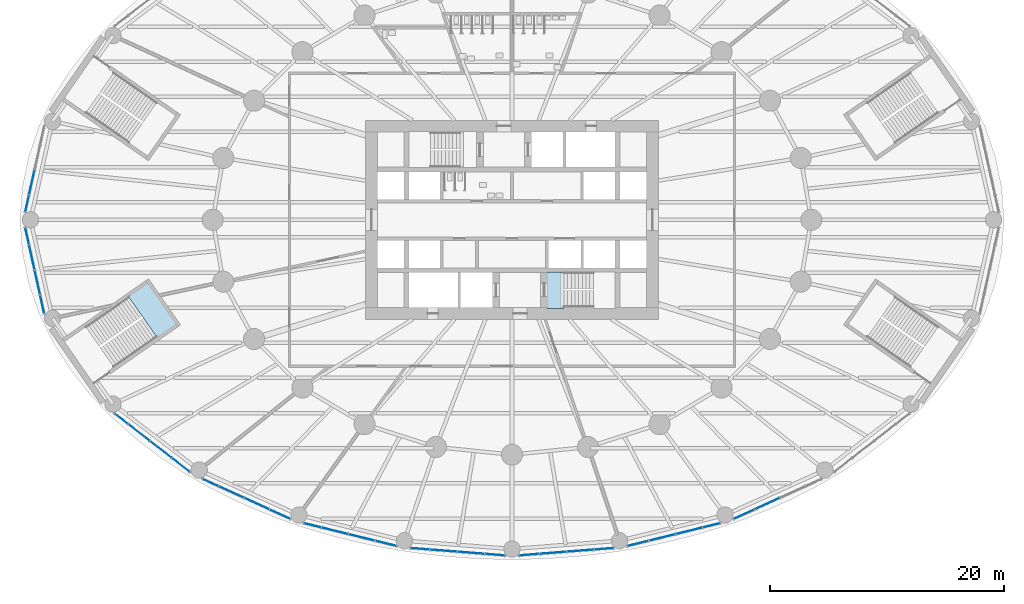
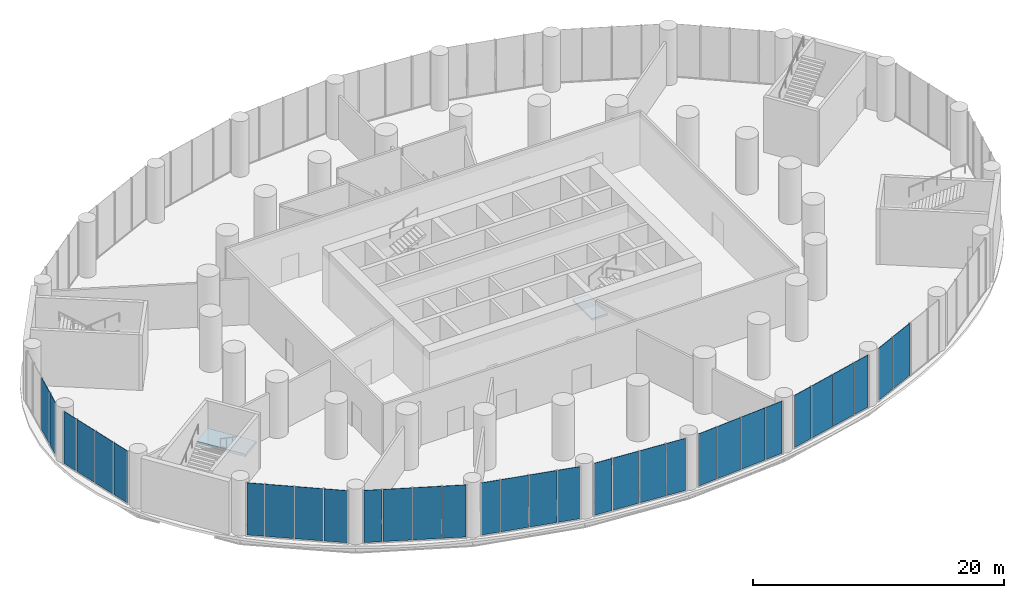
# One storey, part 13 of 21: 32 plates, 2 slabs, 11 elements without a shape of their own.
"""IFC4 building model written with IfcOpenShell, lengths in metres."""

from ifc_helpers import new_model, si_unit, direction, frame, origin, origin_2d, place, context, subcontext, project, spatial, polyline, rectangle, outline, extrude, material, layer, layer_set, type_object, element, aggregate, save


model = new_model("IFC4")

# Units and contexts
model_context = context("Model", 3, precision=1e-05, world=origin(), true_north=direction((0.0, 1.0)))
body_context = subcontext(model_context, "Body", "Model", "MODEL_VIEW")
ifc_project = project(units=[si_unit("LENGTHUNIT", "METRE"), si_unit("AREAUNIT", "SQUARE_METRE"), si_unit("VOLUMEUNIT", "CUBIC_METRE"), si_unit("PLANEANGLEUNIT", "RADIAN"), si_unit("MASSUNIT", "GRAM", prefix="KILO")], contexts=[model_context])

# Site, building, storey
site_placement = place(None, origin())
site = spatial("IfcSite", under=ifc_project, at=site_placement, CompositionType="ELEMENT")
building_placement = place(site_placement, origin())
building = spatial("IfcBuilding", under=site, at=building_placement, Name="Hankou Lantern Tower", CompositionType="ELEMENT")
storey_placement = place(building_placement, frame((0.0, 0.0, 13.800048828125)))
storey = spatial("IfcBuildingStorey", under=building, at=storey_placement, Name="L02", CompositionType="ELEMENT", Elevation=13.800048828125)

# Curtain wall, plates
ifc_material_1 = material(Name="Glass, dark grey tinted laminated", Category="glass")
curtain_wall_type = type_object("IfcCurtainWallType", Name="CWP PODIUM CURTAIN WALL", PredefinedType="USERDEFINED", material=ifc_material_1)
curtain_wall_1_placement = place(storey_placement, origin())
curtain_wall_1 = element("IfcCurtainWall", 1, at=curtain_wall_1_placement, inside=storey, type_object=curtain_wall_type, Name="CWP L02 PC09", ObjectType="PODIUM GLAZING", PredefinedType="USERDEFINED")
ifc_material_2 = material(Name="Glass, dark grey tinted laminated", Category="glass")
ifc_layer_1 = layer(ifc_material_2, 0.037109375)
ifc_layer_set_1 = layer_set([ifc_layer_1], Name="Glass, dark grey tinted laminated")
plate_type = type_object("IfcPlateType", Name="PN2 PODIUM GLASS PANEL", PredefinedType="CURTAIN_PANEL", material=ifc_layer_set_1)
plate_1_placement = place(storey_placement, frame((-40.99267578125, 3.200439453125, 0.080078125), z_axis=(0.0, 0.0, 1.0), x_axis=(-0.215821488116, -0.976432837049, 0.0)))
plate_1 = element("IfcPlate", 2, at=plate_1_placement, type_object=plate_type, Name="CWP glass panel 3", PredefinedType="CURTAIN_PANEL", context=body_context, shape_type="SweptSolid", body=[
    extrude(rectangle(XDim=2.105224609375, YDim=0.031982421875, at=origin_2d()), origin(), (0.0, 0.0, 1.0), 5.070068359375),
])
plate_2_placement = place(storey_placement, frame((-41.391357421875, 1.396484375, 0.080078125), z_axis=(0.0, 0.0, 1.0), x_axis=(-0.215821488116, -0.976432837049, 0.0)))
plate_2 = element("IfcPlate", 3, at=plate_2_placement, type_object=plate_type, Name="CWP glass panel 4", PredefinedType="CURTAIN_PANEL", context=body_context, shape_type="SweptSolid", body=[
    extrude(rectangle(XDim=1.4296875, YDim=0.031982421875, at=origin_2d()), origin(), (0.0, 0.0, 1.0), 5.070068359375),
])
aggregate(curtain_wall_1, [plate_1, plate_2])

curtain_wall_2_placement = place(storey_placement, origin())
curtain_wall_2 = element("IfcCurtainWall", 4, at=curtain_wall_2_placement, inside=storey, type_object=curtain_wall_type, Name="CWP L02 PC10", ObjectType="PODIUM GLAZING", PredefinedType="USERDEFINED")
plate_3_placement = place(storey_placement, frame((-41.391357421875, -1.396484375, 0.080078125), z_axis=(0.0, 0.0, 1.0), x_axis=(0.215821488116, -0.976432837049, 0.0)))
plate_3 = element("IfcPlate", 5, at=plate_3_placement, type_object=plate_type, Name="CWP glass panel 1", PredefinedType="CURTAIN_PANEL", context=body_context, shape_type="SweptSolid", body=[
    extrude(rectangle(XDim=1.4296875, YDim=0.031982421875, at=origin_2d()), origin(), (0.0, 0.0, 1.0), 5.070068359375),
])
plate_4_placement = place(storey_placement, frame((-40.99267578125, -3.200439453125, 0.080078125), z_axis=(0.0, 0.0, 1.0), x_axis=(0.215821488116, -0.976432837049, 0.0)))
plate_4 = element("IfcPlate", 6, at=plate_4_placement, type_object=plate_type, Name="CWP glass panel 2", PredefinedType="CURTAIN_PANEL", context=body_context, shape_type="SweptSolid", body=[
    extrude(rectangle(XDim=2.105224609375, YDim=0.031982421875, at=origin_2d()), origin(), (0.0, 0.0, 1.0), 5.070068359375),
])
plate_5_placement = place(storey_placement, frame((-40.52099609375, -5.333984375, 0.080078125), z_axis=(0.0, 0.0, 1.0), x_axis=(0.215821488116, -0.976432837049, 0.0)))
plate_5 = element("IfcPlate", 7, at=plate_5_placement, type_object=plate_type, Name="CWP glass panel 3", PredefinedType="CURTAIN_PANEL", context=body_context, shape_type="SweptSolid", body=[
    extrude(rectangle(XDim=2.105224609375, YDim=0.031982421875, at=origin_2d()), origin(), (0.0, 0.0, 1.0), 5.070068359375),
])
plate_6_placement = place(storey_placement, frame((-40.105224609375, -7.214599609375, 0.080078125), z_axis=(0.0, 0.0, 1.0), x_axis=(0.215821488116, -0.976432837049, 0.0)))
plate_6 = element("IfcPlate", 8, at=plate_6_placement, type_object=plate_type, Name="CWP glass panel 4", PredefinedType="CURTAIN_PANEL", context=body_context, shape_type="SweptSolid", body=[
    extrude(rectangle(XDim=1.5869140625, YDim=0.031982421875, at=origin_2d()), origin(), (0.0, 0.0, 1.0), 5.070068359375),
])
aggregate(curtain_wall_2, [plate_3, plate_4, plate_5, plate_6])

curtain_wall_3_placement = place(storey_placement, origin())
curtain_wall_3 = element("IfcCurtainWall", 9, at=curtain_wall_3_placement, inside=storey, type_object=curtain_wall_type, Name="CWP L02 PC11", ObjectType="PODIUM GLAZING", PredefinedType="USERDEFINED")
plate_7_placement = place(storey_placement, frame((-33.356689453125, -16.977294921875, 0.080078125), z_axis=(0.0, 0.0, 1.0), x_axis=(0.790129760642, -0.612939606608, 0.0)))
plate_7 = element("IfcPlate", 10, at=plate_7_placement, type_object=plate_type, Name="CWP glass panel 1", PredefinedType="CURTAIN_PANEL", context=body_context, shape_type="SweptSolid", body=[
    extrude(rectangle(XDim=1.409423828125, YDim=0.031982421875, at=origin_2d()), origin(), (0.0, 0.0, 1.0), 5.070068359375),
])
plate_8_placement = place(storey_placement, frame((-31.83935546875, -18.154296875, 0.080078125), z_axis=(0.0, 0.0, 1.0), x_axis=(0.790129760642, -0.612939606608, 0.0)))
plate_8 = element("IfcPlate", 11, at=plate_8_placement, type_object=plate_type, Name="CWP glass panel 2", PredefinedType="CURTAIN_PANEL", context=body_context, shape_type="SweptSolid", body=[
    extrude(rectangle(XDim=2.270751953125, YDim=0.031982421875, at=origin_2d()), origin(), (0.0, 0.0, 1.0), 5.070068359375),
])
plate_9_placement = place(storey_placement, frame((-29.98193359375, -19.59521484375, 0.080078125), z_axis=(0.0, 0.0, 1.0), x_axis=(0.790129760642, -0.612939606608, 0.0)))
plate_9 = element("IfcPlate", 12, at=plate_9_placement, type_object=plate_type, Name="CWP glass panel 3", PredefinedType="CURTAIN_PANEL", context=body_context, shape_type="SweptSolid", body=[
    extrude(rectangle(XDim=2.270751953125, YDim=0.031982421875, at=origin_2d()), origin(), (0.0, 0.0, 1.0), 5.070068359375),
])
plate_10_placement = place(storey_placement, frame((-28.27001953125, -20.923095703125, 0.080078125), z_axis=(0.0, 0.0, 1.0), x_axis=(0.790129760642, -0.612939606608, 0.0)))
plate_10 = element("IfcPlate", 13, at=plate_10_placement, type_object=plate_type, Name="CWP glass panel 4", PredefinedType="CURTAIN_PANEL", context=body_context, shape_type="SweptSolid", body=[
    extrude(rectangle(XDim=1.90234375, YDim=0.031982421875, at=origin_2d()), origin(), (0.0, 0.0, 1.0), 5.070068359375),
])
aggregate(curtain_wall_3, [plate_7, plate_8, plate_9, plate_10])

curtain_wall_4_placement = place(storey_placement, origin())
curtain_wall_4 = element("IfcCurtainWall", 14, at=curtain_wall_4_placement, inside=storey, type_object=curtain_wall_type, Name="CWP L02 PC12", ObjectType="PODIUM GLAZING", PredefinedType="USERDEFINED")
plate_11_placement = place(storey_placement, frame((-25.72802734375, -22.4267578125, 0.080078125), z_axis=(0.0, 0.0, 1.0), x_axis=(0.909669790944, -0.41533224224, 0.0)))
plate_11 = element("IfcPlate", 15, at=plate_11_placement, type_object=plate_type, Name="CWP glass panel 1", PredefinedType="CURTAIN_PANEL", context=body_context, shape_type="SweptSolid", body=[
    extrude(rectangle(XDim=1.445068359375, YDim=0.031982421875, at=origin_2d()), origin(), (0.0, 0.0, 1.0), 5.070068359375),
])
plate_12_placement = place(storey_placement, frame((-23.95361328125, -23.23681640625, 0.080078125), z_axis=(0.0, 0.0, 1.0), x_axis=(0.909669790944, -0.41533224224, 0.0)))
plate_12 = element("IfcPlate", 16, at=plate_12_placement, type_object=plate_type, Name="CWP glass panel 2", PredefinedType="CURTAIN_PANEL", context=body_context, shape_type="SweptSolid", body=[
    extrude(rectangle(XDim=2.2958984375, YDim=0.031982421875, at=origin_2d()), origin(), (0.0, 0.0, 1.0), 5.070068359375),
])
plate_13_placement = place(storey_placement, frame((-21.792236328125, -24.2236328125, 0.080078125), z_axis=(0.0, 0.0, 1.0), x_axis=(0.909669790944, -0.41533224224, 0.0)))
plate_13 = element("IfcPlate", 17, at=plate_13_placement, type_object=plate_type, Name="CWP glass panel 3", PredefinedType="CURTAIN_PANEL", context=body_context, shape_type="SweptSolid", body=[
    extrude(rectangle(XDim=2.2958984375, YDim=0.031982421875, at=origin_2d()), origin(), (0.0, 0.0, 1.0), 5.070068359375),
])
plate_14_placement = place(storey_placement, frame((-19.812744140625, -25.12744140625, 0.080078125), z_axis=(0.0, 0.0, 1.0), x_axis=(0.909669790944, -0.41533224224, 0.0)))
plate_14 = element("IfcPlate", 18, at=plate_14_placement, type_object=plate_type, Name="CWP glass panel 4", PredefinedType="CURTAIN_PANEL", context=body_context, shape_type="SweptSolid", body=[
    extrude(rectangle(XDim=1.896240234375, YDim=0.031982421875, at=origin_2d()), origin(), (0.0, 0.0, 1.0), 5.070068359375),
])
aggregate(curtain_wall_4, [plate_11, plate_12, plate_13, plate_14])

curtain_wall_5_placement = place(storey_placement, origin())
curtain_wall_5 = element("IfcCurtainWall", 19, at=curtain_wall_5_placement, inside=storey, type_object=curtain_wall_type, Name="CWP L02 PC13", ObjectType="PODIUM GLAZING", PredefinedType="USERDEFINED")
plate_15_placement = place(storey_placement, frame((-17.02001953125, -26.080810546875, 0.080078125), z_axis=(0.0, 0.0, 1.0), x_axis=(0.970960955091, -0.239238006364, 0.0)))
plate_15 = element("IfcPlate", 20, at=plate_15_placement, type_object=plate_type, Name="CWP glass panel 1", PredefinedType="CURTAIN_PANEL", context=body_context, shape_type="SweptSolid", body=[
    extrude(rectangle(XDim=1.497314453125, YDim=0.031982421875, at=origin_2d()), origin(), (0.0, 0.0, 1.0), 5.070068359375),
])
plate_16_placement = place(storey_placement, frame((-15.1064453125, -26.552490234375, 0.080078125), z_axis=(0.0, 0.0, 1.0), x_axis=(0.970960955091, -0.239238006364, 0.0)))
plate_16 = element("IfcPlate", 21, at=plate_16_placement, type_object=plate_type, Name="CWP glass panel 2", PredefinedType="CURTAIN_PANEL", context=body_context, shape_type="SweptSolid", body=[
    extrude(rectangle(XDim=2.284423828125, YDim=0.031982421875, at=origin_2d()), origin(), (0.0, 0.0, 1.0), 5.070068359375),
])
plate_17_placement = place(storey_placement, frame((-12.810791015625, -27.1181640625, 0.080078125), z_axis=(0.0, 0.0, 1.0), x_axis=(0.970960955091, -0.239238006364, 0.0)))
plate_17 = element("IfcPlate", 22, at=plate_17_placement, type_object=plate_type, Name="CWP glass panel 3", PredefinedType="CURTAIN_PANEL", context=body_context, shape_type="SweptSolid", body=[
    extrude(rectangle(XDim=2.284423828125, YDim=0.031982421875, at=origin_2d()), origin(), (0.0, 0.0, 1.0), 5.070068359375),
])
plate_18_placement = place(storey_placement, frame((-10.74658203125, -27.626708984375, 0.080078125), z_axis=(0.0, 0.0, 1.0), x_axis=(0.970960955091, -0.239238006364, 0.0)))
plate_18 = element("IfcPlate", 23, at=plate_18_placement, type_object=plate_type, Name="CWP glass panel 4", PredefinedType="CURTAIN_PANEL", context=body_context, shape_type="SweptSolid", body=[
    extrude(rectangle(XDim=1.80712890625, YDim=0.031982421875, at=origin_2d()), origin(), (0.0, 0.0, 1.0), 5.070068359375),
])
aggregate(curtain_wall_5, [plate_15, plate_16, plate_17, plate_18])

curtain_wall_6_placement = place(storey_placement, origin())
curtain_wall_6 = element("IfcCurtainWall", 24, at=curtain_wall_6_placement, inside=storey, type_object=curtain_wall_type, Name="CWP L02 PC14", ObjectType="PODIUM GLAZING", PredefinedType="USERDEFINED")
plate_19_placement = place(storey_placement, frame((-7.85205078125, -28.085205078125, 0.080078125), z_axis=(0.0, 0.0, 1.0), x_axis=(0.996948515213, -0.078061885796, 0.0)))
plate_19 = element("IfcPlate", 25, at=plate_19_placement, type_object=plate_type, Name="CWP glass panel 1", PredefinedType="CURTAIN_PANEL", context=body_context, shape_type="SweptSolid", body=[
    extrude(rectangle(XDim=1.57861328125, YDim=0.031982421875, at=origin_2d()), origin(), (0.0, 0.0, 1.0), 5.070068359375),
])
plate_20_placement = place(storey_placement, frame((-5.8544921875, -28.24169921875, 0.080078125), z_axis=(0.0, 0.0, 1.0), x_axis=(0.996948515213, -0.078061885796, 0.0)))
plate_20 = element("IfcPlate", 26, at=plate_20_placement, type_object=plate_type, Name="CWP glass panel 2", PredefinedType="CURTAIN_PANEL", context=body_context, shape_type="SweptSolid", body=[
    extrude(rectangle(XDim=2.26904296875, YDim=0.031982421875, at=origin_2d()), origin(), (0.0, 0.0, 1.0), 5.070068359375),
])
plate_21_placement = place(storey_placement, frame((-3.5126953125, -28.425048828125, 0.080078125), z_axis=(0.0, 0.0, 1.0), x_axis=(0.996948515213, -0.078061885796, 0.0)))
plate_21 = element("IfcPlate", 27, at=plate_21_placement, type_object=plate_type, Name="CWP glass panel 3", PredefinedType="CURTAIN_PANEL", context=body_context, shape_type="SweptSolid", body=[
    extrude(rectangle(XDim=2.26904296875, YDim=0.031982421875, at=origin_2d()), origin(), (0.0, 0.0, 1.0), 5.070068359375),
])
plate_22_placement = place(storey_placement, frame((-1.460205078125, -28.585693359375, 0.080078125), z_axis=(0.0, 0.0, 1.0), x_axis=(0.996948515213, -0.078061885796, 0.0)))
plate_22 = element("IfcPlate", 28, at=plate_22_placement, type_object=plate_type, Name="CWP glass panel 4", PredefinedType="CURTAIN_PANEL", context=body_context, shape_type="SweptSolid", body=[
    extrude(rectangle(XDim=1.688232421875, YDim=0.031982421875, at=origin_2d()), origin(), (0.0, 0.0, 1.0), 5.070068359375),
])
aggregate(curtain_wall_6, [plate_19, plate_20, plate_21, plate_22])

curtain_wall_7_placement = place(storey_placement, origin())
curtain_wall_7 = element("IfcCurtainWall", 29, at=curtain_wall_7_placement, inside=storey, type_object=curtain_wall_type, Name="CWP L02 PC15", ObjectType="PODIUM GLAZING", PredefinedType="USERDEFINED")
plate_23_placement = place(storey_placement, frame((1.460205078125, -28.585693359375, 0.080078125), z_axis=(0.0, 0.0, 1.0), x_axis=(0.996948515213, 0.078061885796, 0.0)))
plate_23 = element("IfcPlate", 30, at=plate_23_placement, type_object=plate_type, Name="CWP glass panel 1", PredefinedType="CURTAIN_PANEL", context=body_context, shape_type="SweptSolid", body=[
    extrude(rectangle(XDim=1.688232421875, YDim=0.031982421875, at=origin_2d()), origin(), (0.0, 0.0, 1.0), 5.070068359375),
])
plate_24_placement = place(storey_placement, frame((3.5126953125, -28.425048828125, 0.080078125), z_axis=(0.0, 0.0, 1.0), x_axis=(0.996948515213, 0.078061885796, 0.0)))
plate_24 = element("IfcPlate", 31, at=plate_24_placement, type_object=plate_type, Name="CWP glass panel 2", PredefinedType="CURTAIN_PANEL", context=body_context, shape_type="SweptSolid", body=[
    extrude(rectangle(XDim=2.26904296875, YDim=0.031982421875, at=origin_2d()), origin(), (0.0, 0.0, 1.0), 5.070068359375),
])
plate_25_placement = place(storey_placement, frame((5.8544921875, -28.24169921875, 0.080078125), z_axis=(0.0, 0.0, 1.0), x_axis=(0.996948515213, 0.078061885796, 0.0)))
plate_25 = element("IfcPlate", 32, at=plate_25_placement, type_object=plate_type, Name="CWP glass panel 3", PredefinedType="CURTAIN_PANEL", context=body_context, shape_type="SweptSolid", body=[
    extrude(rectangle(XDim=2.26904296875, YDim=0.031982421875, at=origin_2d()), origin(), (0.0, 0.0, 1.0), 5.070068359375),
])
plate_26_placement = place(storey_placement, frame((7.85205078125, -28.085205078125, 0.080078125), z_axis=(0.0, 0.0, 1.0), x_axis=(0.996948515213, 0.078061885796, 0.0)))
plate_26 = element("IfcPlate", 33, at=plate_26_placement, type_object=plate_type, Name="CWP glass panel 4", PredefinedType="CURTAIN_PANEL", context=body_context, shape_type="SweptSolid", body=[
    extrude(rectangle(XDim=1.57861328125, YDim=0.031982421875, at=origin_2d()), origin(), (0.0, 0.0, 1.0), 5.070068359375),
])
aggregate(curtain_wall_7, [plate_23, plate_24, plate_25, plate_26])

curtain_wall_8_placement = place(storey_placement, origin())
curtain_wall_8 = element("IfcCurtainWall", 34, at=curtain_wall_8_placement, inside=storey, type_object=curtain_wall_type, Name="CWP L02 PC16", ObjectType="PODIUM GLAZING", PredefinedType="USERDEFINED")
plate_27_placement = place(storey_placement, frame((10.74658203125, -27.626708984375, 0.080078125), z_axis=(0.0, 0.0, 1.0), x_axis=(0.970960955091, 0.239238006364, 0.0)))
plate_27 = element("IfcPlate", 35, at=plate_27_placement, type_object=plate_type, Name="CWP glass panel 1", PredefinedType="CURTAIN_PANEL", context=body_context, shape_type="SweptSolid", body=[
    extrude(rectangle(XDim=1.80712890625, YDim=0.031982421875, at=origin_2d()), origin(), (0.0, 0.0, 1.0), 5.070068359375),
])
plate_28_placement = place(storey_placement, frame((12.810791015625, -27.1181640625, 0.080078125), z_axis=(0.0, 0.0, 1.0), x_axis=(0.970960955091, 0.239238006364, 0.0)))
plate_28 = element("IfcPlate", 36, at=plate_28_placement, type_object=plate_type, Name="CWP glass panel 2", PredefinedType="CURTAIN_PANEL", context=body_context, shape_type="SweptSolid", body=[
    extrude(rectangle(XDim=2.284423828125, YDim=0.031982421875, at=origin_2d()), origin(), (0.0, 0.0, 1.0), 5.070068359375),
])
plate_29_placement = place(storey_placement, frame((15.1064453125, -26.552490234375, 0.080078125), z_axis=(0.0, 0.0, 1.0), x_axis=(0.970960955091, 0.239238006364, 0.0)))
plate_29 = element("IfcPlate", 37, at=plate_29_placement, type_object=plate_type, Name="CWP glass panel 3", PredefinedType="CURTAIN_PANEL", context=body_context, shape_type="SweptSolid", body=[
    extrude(rectangle(XDim=2.284423828125, YDim=0.031982421875, at=origin_2d()), origin(), (0.0, 0.0, 1.0), 5.070068359375),
])
plate_30_placement = place(storey_placement, frame((17.02001953125, -26.080810546875, 0.080078125), z_axis=(0.0, 0.0, 1.0), x_axis=(0.970960955091, 0.239238006364, 0.0)))
plate_30 = element("IfcPlate", 38, at=plate_30_placement, type_object=plate_type, Name="CWP glass panel 4", PredefinedType="CURTAIN_PANEL", context=body_context, shape_type="SweptSolid", body=[
    extrude(rectangle(XDim=1.497314453125, YDim=0.031982421875, at=origin_2d()), origin(), (0.0, 0.0, 1.0), 5.070068359375),
])
aggregate(curtain_wall_8, [plate_27, plate_28, plate_29, plate_30])

curtain_wall_9_placement = place(storey_placement, origin())
curtain_wall_9 = element("IfcCurtainWall", 39, at=curtain_wall_9_placement, inside=storey, type_object=curtain_wall_type, Name="CWP L02 PC17", ObjectType="PODIUM GLAZING", PredefinedType="USERDEFINED")
plate_31_placement = place(storey_placement, frame((19.812744140625, -25.12744140625, 0.080078125), z_axis=(0.0, 0.0, 1.0), x_axis=(0.909669790944, 0.41533224224, 0.0)))
plate_31 = element("IfcPlate", 40, at=plate_31_placement, type_object=plate_type, Name="CWP glass panel 1", PredefinedType="CURTAIN_PANEL", context=body_context, shape_type="SweptSolid", body=[
    extrude(rectangle(XDim=1.896240234375, YDim=0.031982421875, at=origin_2d()), origin(), (0.0, 0.0, 1.0), 5.070068359375),
])
plate_32_placement = place(storey_placement, frame((21.792236328125, -24.2236328125, 0.080078125), z_axis=(0.0, 0.0, 1.0), x_axis=(0.909669790944, 0.41533224224, 0.0)))
plate_32 = element("IfcPlate", 41, at=plate_32_placement, type_object=plate_type, Name="CWP glass panel 2", PredefinedType="CURTAIN_PANEL", context=body_context, shape_type="SweptSolid", body=[
    extrude(rectangle(XDim=2.2958984375, YDim=0.031982421875, at=origin_2d()), origin(), (0.0, 0.0, 1.0), 5.070068359375),
])
aggregate(curtain_wall_9, [plate_31, plate_32])

# Stair, slab
ifc_material_3 = material(Name="Concrete C40", Category="concrete")
stair_type_1 = type_object("IfcStairType", Name="ST54 CORE STAIR 5400 RISE", PredefinedType="HALF_TURN_STAIR", material=ifc_material_3)
stair_1_placement = place(storey_placement, origin())
stair_1 = element("IfcStair", 42, at=stair_1_placement, inside=storey, type_object=stair_type_1, Name="Stair STB L02", PredefinedType="HALF_TURN_STAIR")
ifc_material_4 = material(Name="Concrete C40", Category="concrete")
ifc_layer_2 = layer(ifc_material_4, 0.199951171875)
ifc_layer_set_2 = layer_set([ifc_layer_2], Name="Concrete C40")
slab_type_1 = type_object("IfcSlabType", Name="SL1 STAIR LANDING 200", PredefinedType="LANDING", material=ifc_layer_set_2)
slab_1_placement = place(storey_placement, frame((0.0, 0.0, 2.5)))
slab_1 = element("IfcSlab", 43, at=slab_1_placement, type_object=slab_type_1, Name="STB landing 2", PredefinedType="LANDING", context=body_context, shape_type="SweptSolid", body=[
    extrude(outline(polyline([(4.449951171875, -4.449951171875), (3.0, -4.449951171875), (3.0, -7.550048828125), (4.449951171875, -7.550048828125), (4.449951171875, -4.449951171875)])), origin(), (0.0, 0.0, 1.0), 0.199951171875),
])
aggregate(stair_1, [slab_1])

ifc_material_5 = material(Name="Concrete C40", Category="concrete")
stair_type_2 = type_object("IfcStairType", Name="PS54 PODIUM STAIR 5400 RISE", PredefinedType="HALF_TURN_STAIR", material=ifc_material_5)
stair_2_placement = place(storey_placement, origin())
stair_2 = element("IfcStair", 44, at=stair_2_placement, inside=storey, type_object=stair_type_2, Name="Stair P3 L02", PredefinedType="HALF_TURN_STAIR")
ifc_material_6 = material(Name="Concrete C40", Category="concrete")
ifc_layer_3 = layer(ifc_material_6, 0.25)
ifc_layer_set_3 = layer_set([ifc_layer_3], Name="Concrete C40")
slab_type_2 = type_object("IfcSlabType", Name="SL2 PODIUM STAIR LANDING 250", PredefinedType="LANDING", material=ifc_layer_set_3)
slab_2_placement = place(storey_placement, frame((0.0, 0.0, 2.449951171875)))
slab_2 = element("IfcSlab", 45, at=slab_2_placement, type_object=slab_type_2, Name="P3 landing 1", PredefinedType="LANDING", context=body_context, shape_type="SweptSolid", body=[
    extrude(outline(polyline([(-32.75, -6.53564453125), (-30.294677734375, -10.065673828125), (-28.636474609375, -8.912109375), (-31.091796875, -5.382080078125), (-32.75, -6.53564453125)])), origin(), (0.0, 0.0, 1.0), 0.25),
])
aggregate(stair_2, [slab_2])

save(model, "model.ifc")
